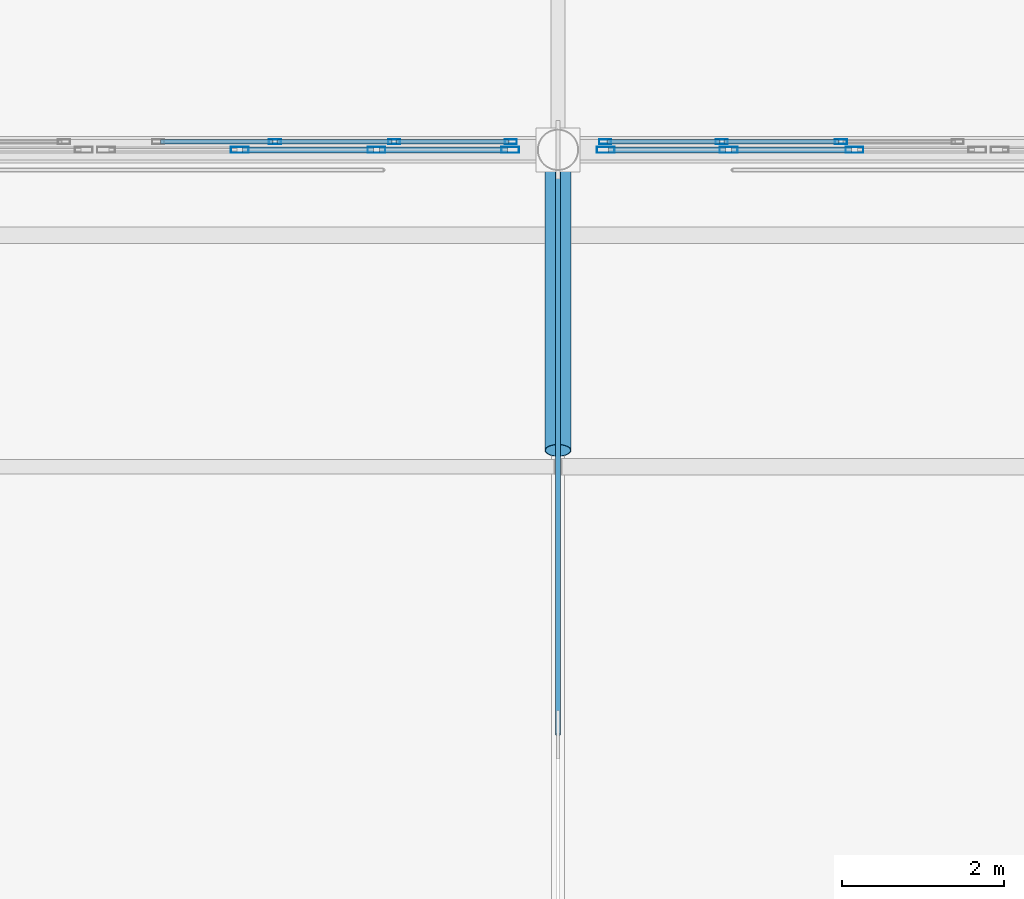
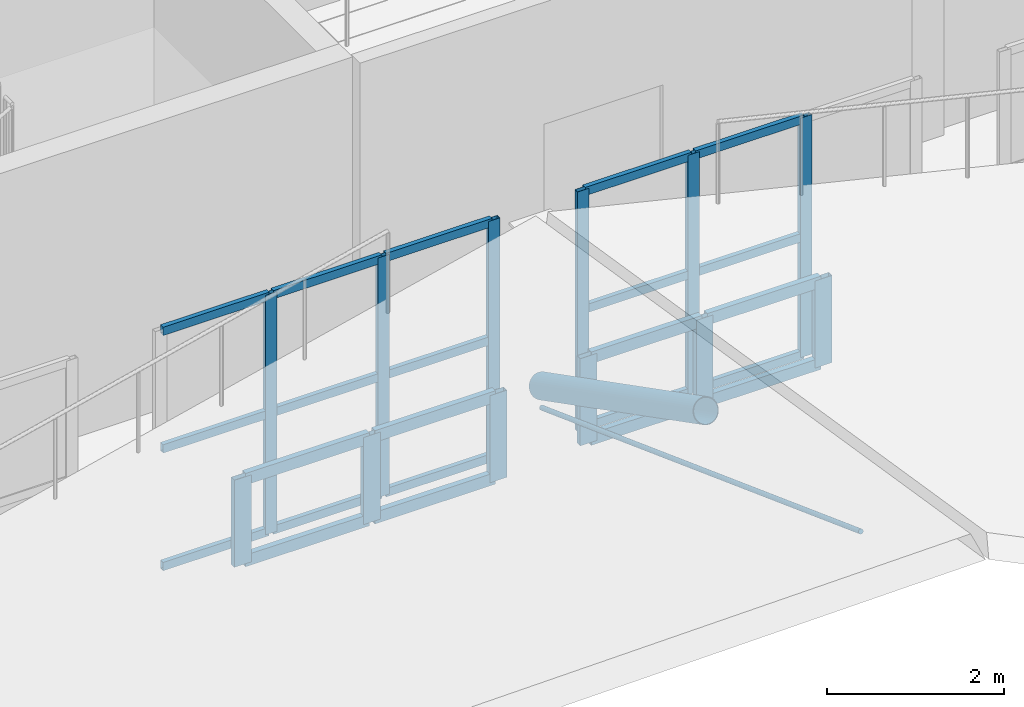
# One storey, part 20 of 120: 37 members, 4 elements without a shape of their own.
"""IFC4 building model written with IfcOpenShell, lengths in metres."""

from ifc_helpers import new_model, si_unit, direction, frame, origin, origin_2d, place, context, subcontext, project, spatial, hollow_rectangle, circle, hollow_circle, extrude, material, material_profile, profile_set, type_object, element, aggregate, save


model = new_model("IFC4")

# Units and contexts
model_context = context("Model", 3, precision=1e-05, world=origin(), true_north=direction((0.0, 1.0)))
body_context = subcontext(model_context, "Body", "Model", "MODEL_VIEW")
ifc_project = project(units=[si_unit("LENGTHUNIT", "METRE"), si_unit("AREAUNIT", "SQUARE_METRE"), si_unit("VOLUMEUNIT", "CUBIC_METRE"), si_unit("PLANEANGLEUNIT", "RADIAN"), si_unit("MASSUNIT", "GRAM", prefix="KILO")], contexts=[model_context])

# Site, building, storey
site_placement = place(None, origin())
site = spatial("IfcSite", under=ifc_project, at=site_placement, CompositionType="ELEMENT")
building_placement = place(site_placement, origin())
building = spatial("IfcBuilding", under=site, at=building_placement, Name="Caurita Quay Ferry Terminal", CompositionType="ELEMENT")
storey_placement = place(building_placement, frame((0.0, 0.0, 9.89990234375)))
storey = spatial("IfcBuildingStorey", under=building, at=storey_placement, Name="L02", CompositionType="ELEMENT", Elevation=9.89990234375)

# Curtain wall, members
ifc_material_1 = material(Name="Laminated solar-control insulated glass", Category="glass")
curtain_wall_type_1 = type_object("IfcCurtainWallType", Name="CW-SYS-13", PredefinedType="NOTDEFINED", material=ifc_material_1)
curtain_wall_1_placement = place(storey_placement, origin())
curtain_wall_1 = element("IfcCurtainWall", 1, at=curtain_wall_1_placement, inside=storey, type_object=curtain_wall_type_1, Name="Mezzanine Hall Overlook Glazing 090", PredefinedType="NOTDEFINED")
ifc_material_2 = material(Name="Anodized aluminium 6063-T6", Category="aluminium")
ifc_material_profile_1 = material_profile(ifc_material_2, hollow_rectangle(XDim=0.06005859375, YDim=0.14990234375, WallThickness=0.00341796875, at=origin_2d()), Name="ALU-MUL-60X150")
ifc_profile_set_1 = profile_set([ifc_material_profile_1], Name="Anodized aluminium 6063-T6")
member_type_1 = type_object("IfcMemberType", Name="CW-MUL-150", PredefinedType="MULLION", material=ifc_profile_set_1)
member_1_placement = place(storey_placement, frame((7.5166015625, 62.800048828125, 0.0), z_axis=(0.0, 0.0, 1.0), x_axis=(0.0, 1.0, 0.0)))
member_1 = element("IfcMember", 2, at=member_1_placement, type_object=member_type_1, Name="CW-MZL-090 Mullion 2", PredefinedType="MULLION", context=body_context, shape_type="SweptSolid", body=[
    extrude(hollow_rectangle(XDim=0.06005859375, YDim=0.14990234375, WallThickness=0.00341796875, at=origin_2d()), origin(), (0.0, 0.0, 1.0), 3.300048828125),
])
member_2_placement = place(storey_placement, frame((8.9833984375, 62.800048828125, 0.0), z_axis=(0.0, 0.0, 1.0), x_axis=(0.0, 1.0, 0.0)))
member_2 = element("IfcMember", 3, at=member_2_placement, type_object=member_type_1, Name="CW-MZL-090 Mullion 3", PredefinedType="MULLION", context=body_context, shape_type="SweptSolid", body=[
    extrude(hollow_rectangle(XDim=0.06005859375, YDim=0.14990234375, WallThickness=0.00341796875, at=origin_2d()), origin(), (0.0, 0.0, 1.0), 3.300048828125),
])
member_3_placement = place(storey_placement, frame((10.419921875, 62.800048828125, 0.0), z_axis=(0.0, 0.0, 1.0), x_axis=(0.0, 1.0, 0.0)))
member_3 = element("IfcMember", 4, at=member_3_placement, type_object=member_type_1, Name="CW-MZL-090 Mullion 4", PredefinedType="MULLION", context=body_context, shape_type="SweptSolid", body=[
    extrude(hollow_rectangle(XDim=0.06005859375, YDim=0.14990234375, WallThickness=0.00341796875, at=origin_2d()), origin(), (0.0, 0.0, 1.0), 3.300048828125),
])

curtain_wall_2_placement = place(storey_placement, origin())
curtain_wall_2 = element("IfcCurtainWall", 5, at=curtain_wall_2_placement, inside=storey, type_object=curtain_wall_type_1, Name="Mezzanine Hall Overlook Glazing 091", PredefinedType="NOTDEFINED")
member_4_placement = place(storey_placement, frame((11.580078125, 62.800048828125, 0.0), z_axis=(0.0, 0.0, 1.0), x_axis=(0.0, 1.0, 0.0)))
member_4 = element("IfcMember", 6, at=member_4_placement, type_object=member_type_1, Name="CW-MZL-091 Mullion 1", PredefinedType="MULLION", context=body_context, shape_type="SweptSolid", body=[
    extrude(hollow_rectangle(XDim=0.06005859375, YDim=0.14990234375, WallThickness=0.00341796875, at=origin_2d()), origin(), (0.0, 0.0, 1.0), 3.300048828125),
])
member_5_placement = place(storey_placement, frame((13.0166015625, 62.800048828125, 0.0), z_axis=(0.0, 0.0, 1.0), x_axis=(0.0, 1.0, 0.0)))
member_5 = element("IfcMember", 7, at=member_5_placement, type_object=member_type_1, Name="CW-MZL-091 Mullion 2", PredefinedType="MULLION", context=body_context, shape_type="SweptSolid", body=[
    extrude(hollow_rectangle(XDim=0.06005859375, YDim=0.14990234375, WallThickness=0.00341796875, at=origin_2d()), origin(), (0.0, 0.0, 1.0), 3.300048828125),
])
member_6_placement = place(storey_placement, frame((14.4833984375, 62.800048828125, 0.0), z_axis=(0.0, 0.0, 1.0), x_axis=(0.0, 1.0, 0.0)))
member_6 = element("IfcMember", 8, at=member_6_placement, type_object=member_type_1, Name="CW-MZL-091 Mullion 3", PredefinedType="MULLION", context=body_context, shape_type="SweptSolid", body=[
    extrude(hollow_rectangle(XDim=0.06005859375, YDim=0.14990234375, WallThickness=0.00341796875, at=origin_2d()), origin(), (0.0, 0.0, 1.0), 3.300048828125),
])

curtain_wall_type_2 = type_object("IfcCurtainWallType", Name="CW-SYS-06", PredefinedType="NOTDEFINED", material=ifc_material_1)
curtain_wall_3_placement = place(storey_placement, origin())
curtain_wall_3 = element("IfcCurtainWall", 9, at=curtain_wall_3_placement, inside=storey, type_object=curtain_wall_type_2, Name="Folded Roof Clerestory FB-01-N2", PredefinedType="NOTDEFINED")
ifc_material_profile_2 = material_profile(ifc_material_2, hollow_rectangle(XDim=0.074951171875, YDim=0.219970703125, WallThickness=0.00390625, at=origin_2d()), Name="ALU-MUL-75X220")
ifc_profile_set_2 = profile_set([ifc_material_profile_2], Name="Anodized aluminium 6063-T6")
member_type_2 = type_object("IfcMemberType", Name="CW-MUL-220", PredefinedType="MULLION", material=ifc_profile_set_2)
member_7_placement = place(storey_placement, frame((7.083251953125, 62.699951171875, -0.218994140625), z_axis=(0.0, 0.0, 1.0), x_axis=(0.0, 1.0, 0.0)))
member_7 = element("IfcMember", 10, at=member_7_placement, type_object=member_type_2, Name="CW-CLR-006 Mullion 2", PredefinedType="MULLION", context=body_context, shape_type="SweptSolid", body=[
    extrude(hollow_rectangle(XDim=0.074951171875, YDim=0.219970703125, WallThickness=0.00390625, at=origin_2d()), origin(), (0.0, 0.0, 1.0), 1.2001953125),
])
member_8_placement = place(storey_placement, frame((8.7666015625, 62.699951171875, -0.218994140625), z_axis=(0.0, 0.0, 1.0), x_axis=(0.0, 1.0, 0.0)))
member_8 = element("IfcMember", 11, at=member_8_placement, type_object=member_type_2, Name="CW-CLR-006 Mullion 3", PredefinedType="MULLION", context=body_context, shape_type="SweptSolid", body=[
    extrude(hollow_rectangle(XDim=0.074951171875, YDim=0.219970703125, WallThickness=0.00390625, at=origin_2d()), origin(), (0.0, 0.0, 1.0), 1.2001953125),
])
member_9_placement = place(storey_placement, frame((10.41259765625, 62.699951171875, -0.218994140625), z_axis=(0.0, 0.0, 1.0), x_axis=(0.0, 1.0, 0.0)))
member_9 = element("IfcMember", 12, at=member_9_placement, type_object=member_type_2, Name="CW-CLR-006 Mullion 4", PredefinedType="MULLION", context=body_context, shape_type="SweptSolid", body=[
    extrude(hollow_rectangle(XDim=0.074951171875, YDim=0.219970703125, WallThickness=0.00390625, at=origin_2d()), origin(), (0.0, 0.0, 1.0), 1.2001953125),
])

curtain_wall_type_3 = type_object("IfcCurtainWallType", Name="CW-SYS-05", PredefinedType="NOTDEFINED", material=ifc_material_1)
curtain_wall_4_placement = place(storey_placement, origin())
curtain_wall_4 = element("IfcCurtainWall", 13, at=curtain_wall_4_placement, inside=storey, type_object=curtain_wall_type_3, Name="Folded Roof Clerestory FB-01-N3", PredefinedType="NOTDEFINED")
member_10_placement = place(storey_placement, frame((11.58740234375, 62.699951171875, -0.122802734375), z_axis=(0.0, 0.0, 1.0), x_axis=(0.0, 1.0, 0.0)))
member_10 = element("IfcMember", 14, at=member_10_placement, type_object=member_type_2, Name="CW-CLR-007 Mullion 1", PredefinedType="MULLION", context=body_context, shape_type="SweptSolid", body=[
    extrude(hollow_rectangle(XDim=0.074951171875, YDim=0.219970703125, WallThickness=0.00390625, at=origin_2d()), origin(), (0.0, 0.0, 1.0), 1.199951171875),
])
member_11_placement = place(storey_placement, frame((13.10009765625, 62.699951171875, -0.122802734375), z_axis=(0.0, 0.0, 1.0), x_axis=(0.0, 1.0, 0.0)))
member_11 = element("IfcMember", 15, at=member_11_placement, type_object=member_type_2, Name="CW-CLR-007 Mullion 2", PredefinedType="MULLION", context=body_context, shape_type="SweptSolid", body=[
    extrude(hollow_rectangle(XDim=0.074951171875, YDim=0.219970703125, WallThickness=0.00390625, at=origin_2d()), origin(), (0.0, 0.0, 1.0), 1.199951171875),
])
member_12_placement = place(storey_placement, frame((14.64990234375, 62.699951171875, -0.122802734375), z_axis=(0.0, 0.0, 1.0), x_axis=(0.0, 1.0, 0.0)))
member_12 = element("IfcMember", 16, at=member_12_placement, type_object=member_type_2, Name="CW-CLR-007 Mullion 3", PredefinedType="MULLION", context=body_context, shape_type="SweptSolid", body=[
    extrude(hollow_rectangle(XDim=0.074951171875, YDim=0.219970703125, WallThickness=0.00390625, at=origin_2d()), origin(), (0.0, 0.0, 1.0), 1.199951171875),
])

# Member
ifc_material_profile_3 = material_profile(ifc_material_2, hollow_rectangle(XDim=0.06005859375, YDim=0.114990234375, WallThickness=0.00341796875, at=origin_2d()), Name="ALU-TRN-60X115")
ifc_profile_set_3 = profile_set([ifc_material_profile_3], Name="Anodized aluminium 6063-T6")
member_type_3 = type_object("IfcMemberType", Name="CW-TRN-115", PredefinedType="USERDEFINED", material=ifc_profile_set_3)
member_13_placement = place(storey_placement, frame((6.10791015625, 62.800048828125, 0.030029296875), z_axis=(1.0, 0.0, 0.0), x_axis=(0.0, 1.0, 0.0)))
member_13 = element("IfcMember", 17, at=member_13_placement, type_object=member_type_3, Name="CW-MZL-090 Transom 1", ObjectType="TRANSOM", PredefinedType="USERDEFINED", context=body_context, shape_type="SweptSolid", body=[
    extrude(hollow_rectangle(XDim=0.06005859375, YDim=0.114990234375, WallThickness=0.00341796875, at=origin_2d()), origin(), (0.0, 0.0, 1.0), 1.380859375),
])

member_14_placement = place(storey_placement, frame((6.10791015625, 62.800048828125, 1.650146484375), z_axis=(1.0, 0.0, 0.0), x_axis=(0.0, 1.0, 0.0)))
member_14 = element("IfcMember", 18, at=member_14_placement, type_object=member_type_3, Name="CW-MZL-090 Transom 2", ObjectType="TRANSOM", PredefinedType="USERDEFINED", context=body_context, shape_type="SweptSolid", body=[
    extrude(hollow_rectangle(XDim=0.06005859375, YDim=0.114990234375, WallThickness=0.00341796875, at=origin_2d()), origin(), (0.0, 0.0, 1.0), 1.380859375),
])

member_15_placement = place(storey_placement, frame((6.10791015625, 62.800048828125, 3.27001953125), z_axis=(1.0, 0.0, 0.0), x_axis=(0.0, 1.0, 0.0)))
member_15 = element("IfcMember", 19, at=member_15_placement, type_object=member_type_3, Name="CW-MZL-090 Transom 3", ObjectType="TRANSOM", PredefinedType="USERDEFINED", context=body_context, shape_type="SweptSolid", body=[
    extrude(hollow_rectangle(XDim=0.06005859375, YDim=0.114990234375, WallThickness=0.00341796875, at=origin_2d()), origin(), (0.0, 0.0, 1.0), 1.380859375),
])

member_16_placement = place(storey_placement, frame((7.544677734375, 62.800048828125, 0.030029296875), z_axis=(1.0, 0.0, 0.0), x_axis=(0.0, 1.0, 0.0)))
member_16 = element("IfcMember", 20, at=member_16_placement, type_object=member_type_3, Name="CW-MZL-090 Transom 4", ObjectType="TRANSOM", PredefinedType="USERDEFINED", context=body_context, shape_type="SweptSolid", body=[
    extrude(hollow_rectangle(XDim=0.06005859375, YDim=0.114990234375, WallThickness=0.00341796875, at=origin_2d()), origin(), (0.0, 0.0, 1.0), 1.41064453125),
])

member_17_placement = place(storey_placement, frame((7.544677734375, 62.800048828125, 1.650146484375), z_axis=(1.0, 0.0, 0.0), x_axis=(0.0, 1.0, 0.0)))
member_17 = element("IfcMember", 21, at=member_17_placement, type_object=member_type_3, Name="CW-MZL-090 Transom 5", ObjectType="TRANSOM", PredefinedType="USERDEFINED", context=body_context, shape_type="SweptSolid", body=[
    extrude(hollow_rectangle(XDim=0.06005859375, YDim=0.114990234375, WallThickness=0.00341796875, at=origin_2d()), origin(), (0.0, 0.0, 1.0), 1.41064453125),
])

member_18_placement = place(storey_placement, frame((7.544677734375, 62.800048828125, 3.27001953125), z_axis=(1.0, 0.0, 0.0), x_axis=(0.0, 1.0, 0.0)))
member_18 = element("IfcMember", 22, at=member_18_placement, type_object=member_type_3, Name="CW-MZL-090 Transom 6", ObjectType="TRANSOM", PredefinedType="USERDEFINED", context=body_context, shape_type="SweptSolid", body=[
    extrude(hollow_rectangle(XDim=0.06005859375, YDim=0.114990234375, WallThickness=0.00341796875, at=origin_2d()), origin(), (0.0, 0.0, 1.0), 1.41064453125),
])

member_19_placement = place(storey_placement, frame((9.01123046875, 62.800048828125, 0.030029296875), z_axis=(1.0, 0.0, 0.0), x_axis=(0.0, 1.0, 0.0)))
member_19 = element("IfcMember", 23, at=member_19_placement, type_object=member_type_3, Name="CW-MZL-090 Transom 7", ObjectType="TRANSOM", PredefinedType="USERDEFINED", context=body_context, shape_type="SweptSolid", body=[
    extrude(hollow_rectangle(XDim=0.06005859375, YDim=0.114990234375, WallThickness=0.00341796875, at=origin_2d()), origin(), (0.0, 0.0, 1.0), 1.380859375),
])

member_20_placement = place(storey_placement, frame((9.01123046875, 62.800048828125, 1.650146484375), z_axis=(1.0, 0.0, 0.0), x_axis=(0.0, 1.0, 0.0)))
member_20 = element("IfcMember", 24, at=member_20_placement, type_object=member_type_3, Name="CW-MZL-090 Transom 8", ObjectType="TRANSOM", PredefinedType="USERDEFINED", context=body_context, shape_type="SweptSolid", body=[
    extrude(hollow_rectangle(XDim=0.06005859375, YDim=0.114990234375, WallThickness=0.00341796875, at=origin_2d()), origin(), (0.0, 0.0, 1.0), 1.380859375),
])

member_21_placement = place(storey_placement, frame((9.01123046875, 62.800048828125, 3.27001953125), z_axis=(1.0, 0.0, 0.0), x_axis=(0.0, 1.0, 0.0)))
member_21 = element("IfcMember", 25, at=member_21_placement, type_object=member_type_3, Name="CW-MZL-090 Transom 9", ObjectType="TRANSOM", PredefinedType="USERDEFINED", context=body_context, shape_type="SweptSolid", body=[
    extrude(hollow_rectangle(XDim=0.06005859375, YDim=0.114990234375, WallThickness=0.00341796875, at=origin_2d()), origin(), (0.0, 0.0, 1.0), 1.380859375),
])

aggregate(curtain_wall_1, [member_1, member_2, member_3, member_13, member_14, member_15, member_16, member_17, member_18, member_19, member_20, member_21])

member_22_placement = place(storey_placement, frame((11.60791015625, 62.800048828125, 0.030029296875), z_axis=(1.0, 0.0, 0.0), x_axis=(0.0, 1.0, 0.0)))
member_22 = element("IfcMember", 26, at=member_22_placement, type_object=member_type_3, Name="CW-MZL-091 Transom 1", ObjectType="TRANSOM", PredefinedType="USERDEFINED", context=body_context, shape_type="SweptSolid", body=[
    extrude(hollow_rectangle(XDim=0.06005859375, YDim=0.114990234375, WallThickness=0.00341796875, at=origin_2d()), origin(), (0.0, 0.0, 1.0), 1.380859375),
])

member_23_placement = place(storey_placement, frame((11.60791015625, 62.800048828125, 1.650146484375), z_axis=(1.0, 0.0, 0.0), x_axis=(0.0, 1.0, 0.0)))
member_23 = element("IfcMember", 27, at=member_23_placement, type_object=member_type_3, Name="CW-MZL-091 Transom 2", ObjectType="TRANSOM", PredefinedType="USERDEFINED", context=body_context, shape_type="SweptSolid", body=[
    extrude(hollow_rectangle(XDim=0.06005859375, YDim=0.114990234375, WallThickness=0.00341796875, at=origin_2d()), origin(), (0.0, 0.0, 1.0), 1.380859375),
])

member_24_placement = place(storey_placement, frame((11.60791015625, 62.800048828125, 3.27001953125), z_axis=(1.0, 0.0, 0.0), x_axis=(0.0, 1.0, 0.0)))
member_24 = element("IfcMember", 28, at=member_24_placement, type_object=member_type_3, Name="CW-MZL-091 Transom 3", ObjectType="TRANSOM", PredefinedType="USERDEFINED", context=body_context, shape_type="SweptSolid", body=[
    extrude(hollow_rectangle(XDim=0.06005859375, YDim=0.114990234375, WallThickness=0.00341796875, at=origin_2d()), origin(), (0.0, 0.0, 1.0), 1.380859375),
])

member_25_placement = place(storey_placement, frame((13.044677734375, 62.800048828125, 0.030029296875), z_axis=(1.0, 0.0, 0.0), x_axis=(0.0, 1.0, 0.0)))
member_25 = element("IfcMember", 29, at=member_25_placement, type_object=member_type_3, Name="CW-MZL-091 Transom 4", ObjectType="TRANSOM", PredefinedType="USERDEFINED", context=body_context, shape_type="SweptSolid", body=[
    extrude(hollow_rectangle(XDim=0.06005859375, YDim=0.114990234375, WallThickness=0.00341796875, at=origin_2d()), origin(), (0.0, 0.0, 1.0), 1.41064453125),
])

member_26_placement = place(storey_placement, frame((13.044677734375, 62.800048828125, 1.650146484375), z_axis=(1.0, 0.0, 0.0), x_axis=(0.0, 1.0, 0.0)))
member_26 = element("IfcMember", 30, at=member_26_placement, type_object=member_type_3, Name="CW-MZL-091 Transom 5", ObjectType="TRANSOM", PredefinedType="USERDEFINED", context=body_context, shape_type="SweptSolid", body=[
    extrude(hollow_rectangle(XDim=0.06005859375, YDim=0.114990234375, WallThickness=0.00341796875, at=origin_2d()), origin(), (0.0, 0.0, 1.0), 1.41064453125),
])

member_27_placement = place(storey_placement, frame((13.044677734375, 62.800048828125, 3.27001953125), z_axis=(1.0, 0.0, 0.0), x_axis=(0.0, 1.0, 0.0)))
member_27 = element("IfcMember", 31, at=member_27_placement, type_object=member_type_3, Name="CW-MZL-091 Transom 6", ObjectType="TRANSOM", PredefinedType="USERDEFINED", context=body_context, shape_type="SweptSolid", body=[
    extrude(hollow_rectangle(XDim=0.06005859375, YDim=0.114990234375, WallThickness=0.00341796875, at=origin_2d()), origin(), (0.0, 0.0, 1.0), 1.41064453125),
])

aggregate(curtain_wall_2, [member_4, member_5, member_6, member_22, member_23, member_24, member_25, member_26, member_27])

ifc_material_profile_4 = material_profile(ifc_material_2, hollow_rectangle(XDim=0.074951171875, YDim=0.159912109375, WallThickness=0.00390625, at=origin_2d()), Name="ALU-TRN-75X160")
ifc_profile_set_4 = profile_set([ifc_material_profile_4], Name="Anodized aluminium 6063-T6")
member_type_4 = type_object("IfcMemberType", Name="CW-TRN-160", PredefinedType="USERDEFINED", material=ifc_profile_set_4)
member_28_placement = place(storey_placement, frame((7.118896484375, 62.699951171875, -0.181396484375), z_axis=(1.0, 0.0, 0.0), x_axis=(0.0, 1.0, 0.0)))
member_28 = element("IfcMember", 32, at=member_28_placement, type_object=member_type_4, Name="CW-CLR-006 Transom 3", ObjectType="TRANSOM", PredefinedType="USERDEFINED", context=body_context, shape_type="SweptSolid", body=[
    extrude(hollow_rectangle(XDim=0.074951171875, YDim=0.159912109375, WallThickness=0.00390625, at=origin_2d()), origin(), (0.0, 0.0, 1.0), 1.6123046875),
])

member_29_placement = place(storey_placement, frame((7.118896484375, 62.699951171875, 0.943603515625), z_axis=(1.0, 0.0, 0.0), x_axis=(0.0, 1.0, 0.0)))
member_29 = element("IfcMember", 33, at=member_29_placement, type_object=member_type_4, Name="CW-CLR-006 Transom 4", ObjectType="TRANSOM", PredefinedType="USERDEFINED", context=body_context, shape_type="SweptSolid", body=[
    extrude(hollow_rectangle(XDim=0.074951171875, YDim=0.159912109375, WallThickness=0.00390625, at=origin_2d()), origin(), (0.0, 0.0, 1.0), 1.6123046875),
])

member_30_placement = place(storey_placement, frame((8.80224609375, 62.699951171875, -0.181396484375), z_axis=(1.0, 0.0, 0.0), x_axis=(0.0, 1.0, 0.0)))
member_30 = element("IfcMember", 34, at=member_30_placement, type_object=member_type_4, Name="CW-CLR-006 Transom 5", ObjectType="TRANSOM", PredefinedType="USERDEFINED", context=body_context, shape_type="SweptSolid", body=[
    extrude(hollow_rectangle(XDim=0.074951171875, YDim=0.159912109375, WallThickness=0.00390625, at=origin_2d()), origin(), (0.0, 0.0, 1.0), 1.57470703125),
])

member_31_placement = place(storey_placement, frame((8.80224609375, 62.699951171875, 0.943603515625), z_axis=(1.0, 0.0, 0.0), x_axis=(0.0, 1.0, 0.0)))
member_31 = element("IfcMember", 35, at=member_31_placement, type_object=member_type_4, Name="CW-CLR-006 Transom 6", ObjectType="TRANSOM", PredefinedType="USERDEFINED", context=body_context, shape_type="SweptSolid", body=[
    extrude(hollow_rectangle(XDim=0.074951171875, YDim=0.159912109375, WallThickness=0.00390625, at=origin_2d()), origin(), (0.0, 0.0, 1.0), 1.57470703125),
])

aggregate(curtain_wall_3, [member_7, member_8, member_9, member_28, member_29, member_30, member_31])

member_32_placement = place(storey_placement, frame((11.623046875, 62.699951171875, -0.08544921875), z_axis=(1.0, 0.0, 0.0), x_axis=(0.0, 1.0, 0.0)))
member_32 = element("IfcMember", 36, at=member_32_placement, type_object=member_type_4, Name="CW-CLR-007 Transom 1", ObjectType="TRANSOM", PredefinedType="USERDEFINED", context=body_context, shape_type="SweptSolid", body=[
    extrude(hollow_rectangle(XDim=0.074951171875, YDim=0.159912109375, WallThickness=0.00390625, at=origin_2d()), origin(), (0.0, 0.0, 1.0), 1.44140625),
])

member_33_placement = place(storey_placement, frame((11.623046875, 62.699951171875, 1.03955078125), z_axis=(1.0, 0.0, 0.0), x_axis=(0.0, 1.0, 0.0)))
member_33 = element("IfcMember", 37, at=member_33_placement, type_object=member_type_4, Name="CW-CLR-007 Transom 2", ObjectType="TRANSOM", PredefinedType="USERDEFINED", context=body_context, shape_type="SweptSolid", body=[
    extrude(hollow_rectangle(XDim=0.074951171875, YDim=0.159912109375, WallThickness=0.00390625, at=origin_2d()), origin(), (0.0, 0.0, 1.0), 1.44140625),
])

member_34_placement = place(storey_placement, frame((13.135498046875, 62.699951171875, -0.08544921875), z_axis=(1.0, 0.0, 0.0), x_axis=(0.0, 1.0, 0.0)))
member_34 = element("IfcMember", 38, at=member_34_placement, type_object=member_type_4, Name="CW-CLR-007 Transom 3", ObjectType="TRANSOM", PredefinedType="USERDEFINED", context=body_context, shape_type="SweptSolid", body=[
    extrude(hollow_rectangle(XDim=0.074951171875, YDim=0.159912109375, WallThickness=0.00390625, at=origin_2d()), origin(), (0.0, 0.0, 1.0), 1.47900390625),
])

member_35_placement = place(storey_placement, frame((13.135498046875, 62.699951171875, 1.03955078125), z_axis=(1.0, 0.0, 0.0), x_axis=(0.0, 1.0, 0.0)))
member_35 = element("IfcMember", 39, at=member_35_placement, type_object=member_type_4, Name="CW-CLR-007 Transom 4", ObjectType="TRANSOM", PredefinedType="USERDEFINED", context=body_context, shape_type="SweptSolid", body=[
    extrude(hollow_rectangle(XDim=0.074951171875, YDim=0.159912109375, WallThickness=0.00390625, at=origin_2d()), origin(), (0.0, 0.0, 1.0), 1.47900390625),
])

aggregate(curtain_wall_4, [member_10, member_11, member_12, member_32, member_33, member_34, member_35])

# Members
ifc_material_3 = material(Name="Structural stay cable steel ASTM A586", Category="steel")
ifc_material_profile_5 = material_profile(ifc_material_3, circle(Radius=0.031982421875, at=origin_2d()), Name="CABLE-D64")
ifc_profile_set_5 = profile_set([ifc_material_profile_5], Name="Structural stay cable steel ASTM A586")
member_type_5 = type_object("IfcMemberType", Name="MEM-CBL-64", PredefinedType="USERDEFINED", material=ifc_profile_set_5)
member_36_placement = place(storey_placement, frame((11.0, 62.699951171875, 0.550048828125), z_axis=(0.0, -0.938023948445, 0.346570443263), x_axis=(1.0, 0.0, 0.0)))
element("IfcMember", 40, at=member_36_placement, inside=storey, type_object=member_type_5, Name="Folded Roof Stay Cable V1-02-N1", ObjectType="STAY CABLE", PredefinedType="USERDEFINED", context=body_context, shape_type="SweptSolid", body=[
    extrude(circle(Radius=0.031982421875, at=origin_2d()), origin(), (0.0, 0.0, 1.0), 7.675537109375),
])
ifc_material_4 = material(Name="Hollow structural steel ASTM A500 Gr. C", Category="steel")
ifc_material_profile_6 = material_profile(ifc_material_4, hollow_circle(Radius=0.161865234375, WallThickness=0.0087890625, at=origin_2d()), Name="HSS12.750X0.375")
ifc_profile_set_6 = profile_set([ifc_material_profile_6], Name="Hollow structural steel ASTM A500 Gr. C")
member_type_6 = type_object("IfcMemberType", Name="MEM-STR-12", PredefinedType="STRUT", material=ifc_profile_set_6)
member_37_placement = place(storey_placement, frame((11.0, 62.699951171875, 0.85009765625), z_axis=(0.0, -0.889574109345, 0.456790875547), x_axis=(1.0, 0.0, 0.0)))
element("IfcMember", 41, at=member_37_placement, inside=storey, type_object=member_type_6, Name="Mast Tree-Strut V1-02-S2", PredefinedType="STRUT", context=body_context, shape_type="SweptSolid", body=[
    extrude(hollow_circle(Radius=0.161865234375, WallThickness=0.0087890625, at=origin_2d()), origin(), (0.0, 0.0, 1.0), 4.1591796875),
])

save(model, "model.ifc")
